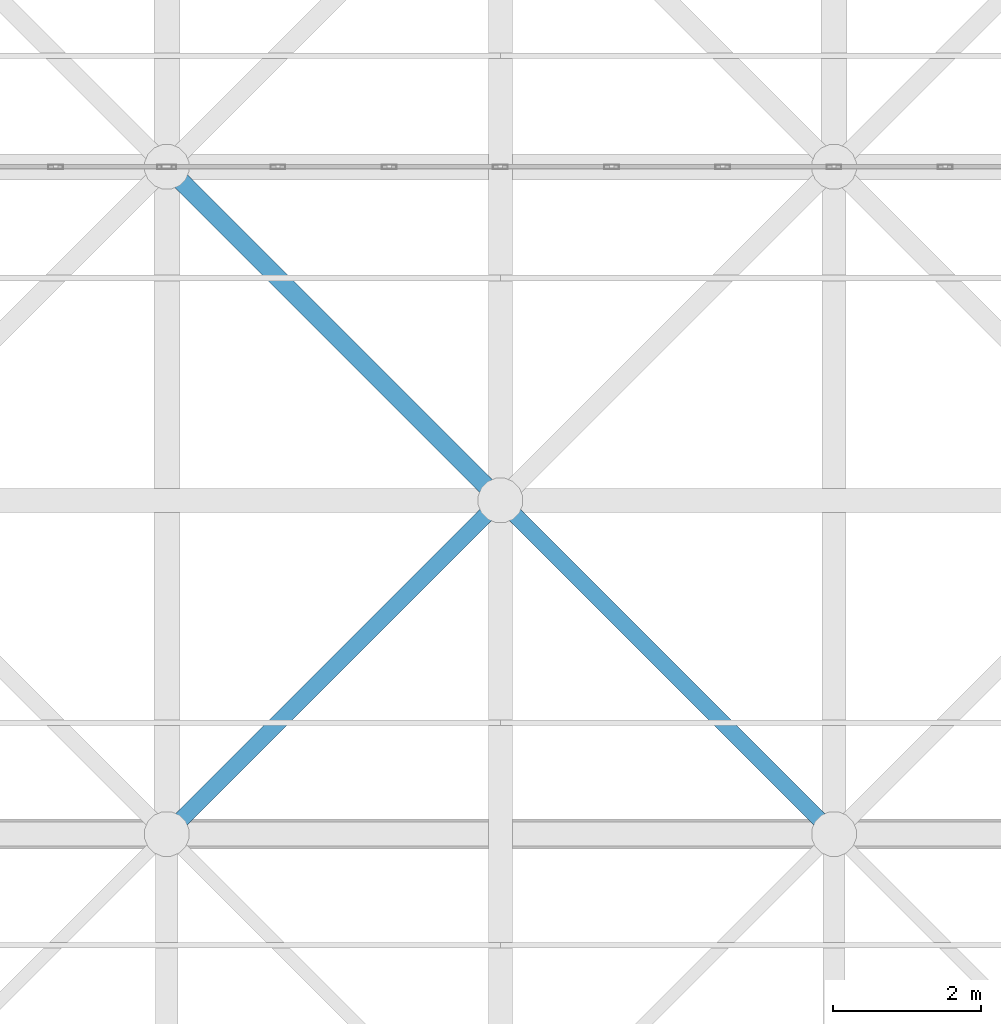
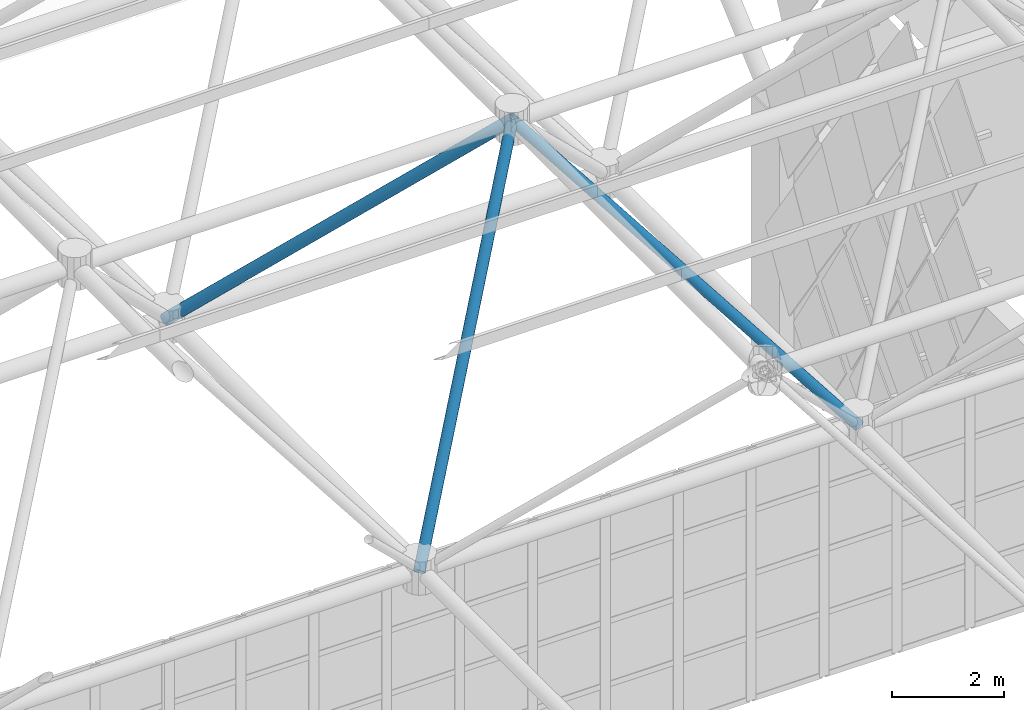
# One storey, part 179 of 437: 3 members.
"""IFC4 building model written with IfcOpenShell, lengths in metres."""

from ifc_helpers import new_model, si_unit, direction, frame, origin, origin_2d, place, context, subcontext, project, spatial, hollow_circle, extrude, material, material_profile, profile_set, type_object, element, save


model = new_model("IFC4")

# Units and contexts
model_context = context("Model", 3, precision=1e-05, world=origin(), true_north=direction((0.0, 1.0)))
body_context = subcontext(model_context, "Body", "Model", "MODEL_VIEW")
ifc_project = project(units=[si_unit("LENGTHUNIT", "METRE"), si_unit("AREAUNIT", "SQUARE_METRE"), si_unit("VOLUMEUNIT", "CUBIC_METRE"), si_unit("PLANEANGLEUNIT", "RADIAN"), si_unit("MASSUNIT", "GRAM", prefix="KILO")], contexts=[model_context])

# Site, building, storey
site_placement = place(None, origin())
site = spatial("IfcSite", under=ifc_project, at=site_placement, CompositionType="ELEMENT")
building_placement = place(site_placement, origin())
building = spatial("IfcBuilding", under=site, at=building_placement, Name="Opaline Strait Convention Centre", CompositionType="ELEMENT")
storey_placement = place(building_placement, frame((0.0, 0.0, 11.5)))
storey = spatial("IfcBuildingStorey", under=building, at=storey_placement, Name="L02", CompositionType="ELEMENT", Elevation=11.5)

# Members
ifc_material = material(Name="Steel Q355B", Category="steel")
ifc_material_profile_1 = material_profile(ifc_material, hollow_circle(Radius=0.109619140625, WallThickness=0.010009765625, at=origin_2d()), Name="CHS 219x10")
ifc_profile_set_1 = profile_set([ifc_material_profile_1], Name="Steel Q355B")
member_type_1 = type_object("IfcMemberType", Name="Space frame web CHS 219x10", PredefinedType="BRACE", material=ifc_profile_set_1)
for number, where, z_axis, x_axis, name in (
    (1, (193.52685546875, 139.52685546875, 18.004150390625), (-0.536178220346, -0.536178220346, -0.6519400525), (0.707106781187, -0.707106781187, 0.0), "EXB-RF-W-11-10-11"),
    (2, (193.47314453125, 139.52685546875, 18.004150390625), (0.536178220346, -0.536178220346, -0.6519400525), (0.707106781187, 0.707106781187, 0.0), "EXB-RF-W-12-10-01"),
):
    element("IfcMember", number, at=place(storey_placement, frame(where, z_axis=z_axis, x_axis=x_axis)), inside=storey, type_object=member_type_1, Name=name, PredefinedType="BRACE", context=body_context, shape_type="SweptSolid", body=[
        extrude(hollow_circle(Radius=0.109619140625, WallThickness=0.010009765625, at=origin_2d()), origin(), (0.0, 0.0, 1.0), 8.492919921875),
    ])
ifc_material_profile_2 = material_profile(ifc_material, hollow_circle(Radius=0.12255859375, WallThickness=0.011962890625, at=origin_2d()), Name="CHS 245x12")
ifc_profile_set_2 = profile_set([ifc_material_profile_2], Name="Steel Q355B")
member_type_2 = type_object("IfcMemberType", Name="Space frame web CHS 245x12", PredefinedType="BRACE", material=ifc_profile_set_2)
member_placement = place(storey_placement, frame((193.52685546875, 139.47314453125, 18.004150390625), z_axis=(-0.536178220346, 0.536178220346, -0.6519400525), x_axis=(-0.707106781187, -0.707106781187, 0.0)))
element("IfcMember", 3, at=member_placement, inside=storey, type_object=member_type_2, Name="EXB-RF-W-11-11-10", PredefinedType="BRACE", context=body_context, shape_type="SweptSolid", body=[
    extrude(hollow_circle(Radius=0.12255859375, WallThickness=0.011962890625, at=origin_2d()), origin(), (0.0, 0.0, 1.0), 8.492919921875),
])

save(model, "model.ifc")
